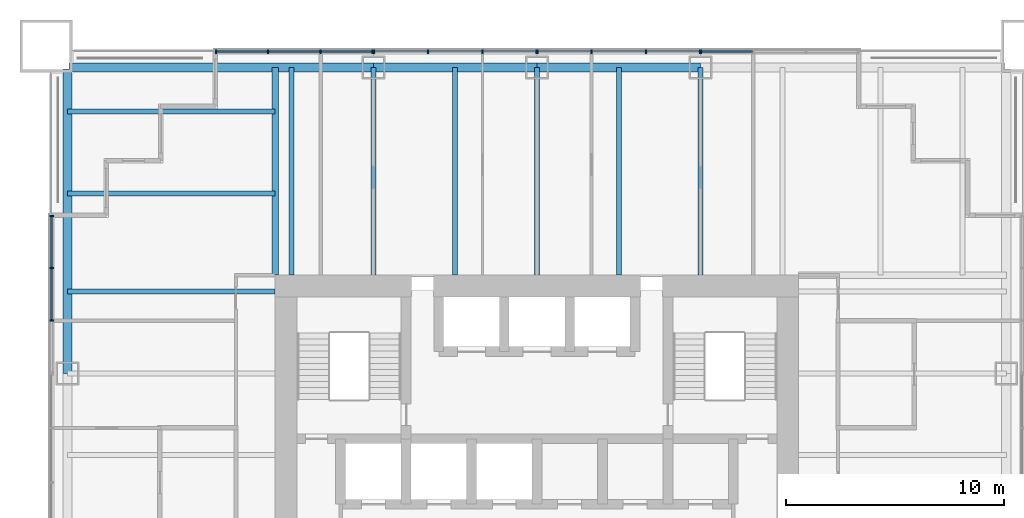
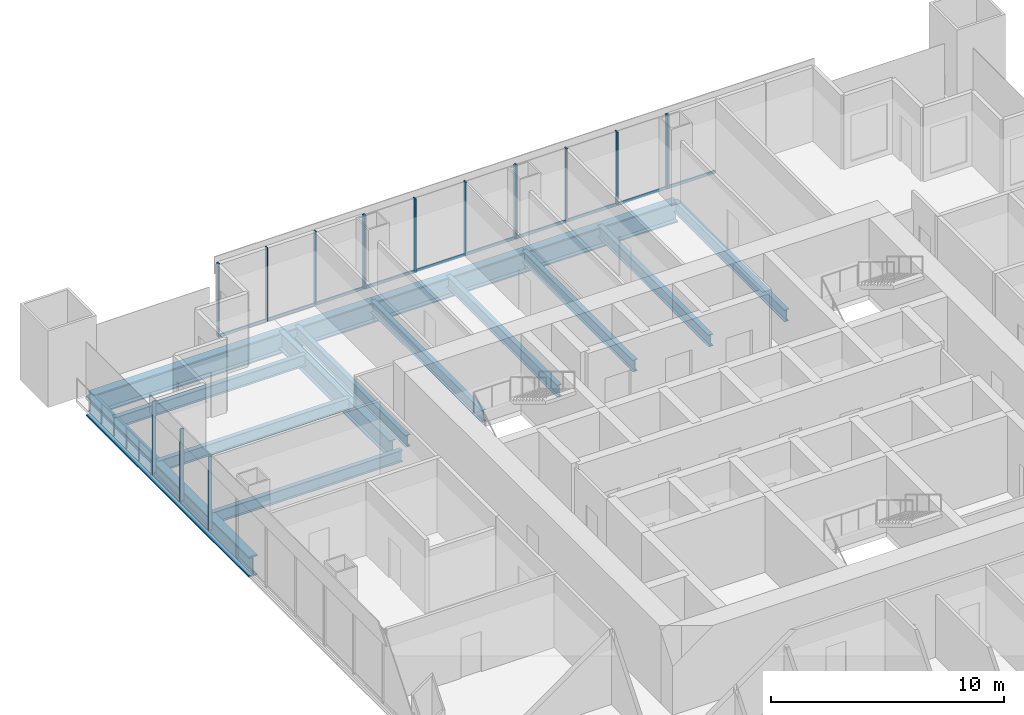
# One storey, part 5 of 13: 28 members, 14 beams, 5 elements without a shape of their own.
"""IFC4 building model written with IfcOpenShell, lengths in metres."""

from ifc_helpers import new_model, si_unit, direction, frame, origin, origin_2d, place, context, subcontext, project, spatial, rectangle, i_section, extrude, material, material_profile, profile_set, type_object, element, aggregate, save


model = new_model("IFC4")

# Units and contexts
model_context = context("Model", 3, precision=1e-05, world=origin(), true_north=direction((0.0, 1.0)))
body_context = subcontext(model_context, "Body", "Model", "MODEL_VIEW")
ifc_project = project(units=[si_unit("LENGTHUNIT", "METRE"), si_unit("AREAUNIT", "SQUARE_METRE"), si_unit("VOLUMEUNIT", "CUBIC_METRE"), si_unit("PLANEANGLEUNIT", "RADIAN"), si_unit("MASSUNIT", "GRAM", prefix="KILO")], contexts=[model_context])

# Site, building, storey
site_placement = place(None, origin())
site = spatial("IfcSite", under=ifc_project, at=site_placement, CompositionType="ELEMENT")
building_placement = place(site_placement, origin())
building = spatial("IfcBuilding", under=site, at=building_placement, Name="Tarangal Relay Tower", CompositionType="ELEMENT")
storey_placement = place(building_placement, frame((0.0, 0.0, 185.89990234375)))
storey = spatial("IfcBuildingStorey", under=building, at=storey_placement, Name="L38", CompositionType="ELEMENT", Elevation=185.89990234375)

# Beams
ifc_material_1 = material(Name="Steel ASTM A992", Category="steel")
ifc_material_profile_1 = material_profile(ifc_material_1, i_section(OverallWidth=0.227783203125, OverallDepth=0.60205078125, WebThickness=0.010498046875, FlangeThickness=0.014892578125, at=origin_2d()), Name="W24X68")
ifc_profile_set_1 = profile_set([ifc_material_profile_1], Name="Steel ASTM A992")
beam_type_1 = type_object("IfcBeamType", Name="Corner beam W24X68", PredefinedType="JOIST", material=ifc_profile_set_1)
for number, where, z_axis, x_axis, name in (
    (1, (-12.0, 15.75, -0.450927734375), (-1.0, 0.0, 0.0), (0.0, -1.0, 0.0), "Corner beam CB11 W L38"),
    (2, (-12.0, 19.5, -0.450927734375), (-1.0, 0.0, 0.0), (0.0, -1.0, 0.0), "Corner beam CB11 W L38"),
):
    element("IfcBeam", number, at=place(storey_placement, frame(where, z_axis=z_axis, x_axis=x_axis)), inside=storey, type_object=beam_type_1, Name=name, PredefinedType="JOIST", context=body_context, shape_type="SweptSolid", body=[
        extrude(i_section(OverallWidth=0.227783203125, OverallDepth=0.60205078125, WebThickness=0.010498046875, FlangeThickness=0.014892578125, at=origin_2d()), origin(), (0.0, 0.0, 1.0), 9.514892578125),
    ])
ifc_material_profile_2 = material_profile(ifc_material_1, i_section(OverallWidth=0.307373046875, OverallDepth=0.9423828125, WebThickness=0.022216796875, FlangeThickness=0.039794921875, at=origin_2d()), Name="W36X232")
ifc_profile_set_2 = profile_set([ifc_material_profile_2], Name="Steel ASTM A992")
beam_type_2 = type_object("IfcBeamType", Name="Corner girder W36X232", PredefinedType="BEAM", material=ifc_profile_set_2)
beam_1_placement = place(storey_placement, frame((-12.0, 12.0, -0.62109375), z_axis=(0.0, 1.0, 0.0), x_axis=(-1.0, 0.0, 0.0)))
element("IfcBeam", 3, at=beam_1_placement, inside=storey, type_object=beam_type_2, Name="Corner girder CG4 W L38", PredefinedType="BEAM", context=body_context, shape_type="SweptSolid", body=[
    extrude(i_section(OverallWidth=0.307373046875, OverallDepth=0.9423828125, WebThickness=0.022216796875, FlangeThickness=0.039794921875, at=origin_2d()), origin(), (0.0, 0.0, 1.0), 9.514892578125),
])
ifc_material_profile_3 = material_profile(ifc_material_1, i_section(OverallWidth=0.41650390625, OverallDepth=1.0693359375, WebThickness=0.0390625, FlangeThickness=0.070068359375, at=origin_2d()), Name="W40X503")
ifc_profile_set_3 = profile_set([ifc_material_profile_3], Name="Steel ASTM A992")
beam_type_3 = type_object("IfcBeamType", Name="Edge girder W40X503", PredefinedType="SPANDREL", material=ifc_profile_set_3)
beam_2_placement = place(storey_placement, frame((-21.449951171875, 21.514892578125, -0.6845703125), z_axis=(1.0, 0.0, 0.0), x_axis=(0.0, 1.0, 0.0)))
element("IfcBeam", 4, at=beam_2_placement, inside=storey, type_object=beam_type_3, Name="Edge girder EG8 N L38", PredefinedType="SPANDREL", context=body_context, shape_type="SweptSolid", body=[
    extrude(i_section(OverallWidth=0.41650390625, OverallDepth=1.0693359375, WebThickness=0.0390625, FlangeThickness=0.070068359375, at=origin_2d()), origin(), (0.0, 0.0, 1.0), 13.949951171875),
])
for number, where, z_axis, x_axis, name in (
    (5, (-7.5, 21.514892578125, -0.6845703125), (1.0, 0.0, 0.0), (0.0, 1.0, 0.0), "Edge girder EG8 N L38"),
    (6, (0.0, 21.514892578125, -0.6845703125), (1.0, 0.0, 0.0), (0.0, 1.0, 0.0), "Edge girder EG8 N L38"),
):
    element("IfcBeam", number, at=place(storey_placement, frame(where, z_axis=z_axis, x_axis=x_axis)), inside=storey, type_object=beam_type_3, Name=name, PredefinedType="SPANDREL", context=body_context, shape_type="SweptSolid", body=[
        extrude(i_section(OverallWidth=0.41650390625, OverallDepth=1.0693359375, WebThickness=0.0390625, FlangeThickness=0.070068359375, at=origin_2d()), origin(), (0.0, 0.0, 1.0), 7.5),
    ])
beam_3_placement = place(storey_placement, frame((-21.514892578125, 7.5, -0.6845703125), z_axis=(0.0, 1.0, 0.0), x_axis=(-1.0, 0.0, 0.0)))
element("IfcBeam", 7, at=beam_3_placement, inside=storey, type_object=beam_type_3, Name="Edge girder EG8 W L38", PredefinedType="SPANDREL", context=body_context, shape_type="SweptSolid", body=[
    extrude(i_section(OverallWidth=0.41650390625, OverallDepth=1.0693359375, WebThickness=0.0390625, FlangeThickness=0.070068359375, at=origin_2d()), origin(), (0.0, 0.0, 1.0), 13.949951171875),
])
ifc_material_profile_4 = material_profile(ifc_material_1, i_section(OverallWidth=0.22900390625, OverallDepth=0.612060546875, WebThickness=0.011962890625, FlangeThickness=0.01953125, at=origin_2d()), Name="W24X84")
ifc_profile_set_4 = profile_set([ifc_material_profile_4], Name="Steel ASTM A992")
beam_type_4 = type_object("IfcBeamType", Name="Floor beam W24X84", PredefinedType="BEAM", material=ifc_profile_set_4)
for number, where, z_axis, x_axis, name in (
    (8, (-11.25, 12.0, -0.455810546875), (0.0, 1.0, 0.0), (-1.0, 0.0, 0.0), "Floor beam RB12 N L38"),
    (9, (-7.5, 12.0, -0.455810546875), (0.0, 1.0, 0.0), (-1.0, 0.0, 0.0), "Floor beam RB12 N L38"),
    (10, (-3.75, 12.0, -0.455810546875), (0.0, 1.0, 0.0), (-1.0, 0.0, 0.0), "Floor beam RB12 N L38"),
    (11, (0.0, 12.0, -0.455810546875), (0.0, 1.0, 0.0), (-1.0, 0.0, 0.0), "Floor beam RB12 N L38"),
    (12, (3.75, 12.0, -0.455810546875), (0.0, 1.0, 0.0), (-1.0, 0.0, 0.0), "Floor beam RB12 N L38"),
    (13, (7.5, 12.0, -0.455810546875), (0.0, 1.0, 0.0), (-1.0, 0.0, 0.0), "Floor beam RB12 N L38"),
    (14, (-12.0, 11.25, -0.455810546875), (-1.0, 0.0, 0.0), (0.0, -1.0, 0.0), "Floor beam RB12 W L38"),
):
    element("IfcBeam", number, at=place(storey_placement, frame(where, z_axis=z_axis, x_axis=x_axis)), inside=storey, type_object=beam_type_4, Name=name, PredefinedType="BEAM", context=body_context, shape_type="SweptSolid", body=[
        extrude(i_section(OverallWidth=0.22900390625, OverallDepth=0.612060546875, WebThickness=0.011962890625, FlangeThickness=0.01953125, at=origin_2d()), origin(), (0.0, 0.0, 1.0), 9.514892578125),
    ])

# Curtain wall, members
ifc_material_2 = material(Name="Unitised curtain wall, dark glass and black aluminium", Category="aluminium")
curtain_wall_type_1 = type_object("IfcCurtainWallType", Name="Curtain wall CW-A", PredefinedType="USERDEFINED", material=ifc_material_2)
curtain_wall_1_placement = place(storey_placement, origin())
curtain_wall_1 = element("IfcCurtainWall", 15, at=curtain_wall_1_placement, inside=storey, type_object=curtain_wall_type_1, Name="Curtain wall CW-A N facade L38", ObjectType="UNITISED CURTAIN WALL", PredefinedType="USERDEFINED")
ifc_material_3 = material(Name="Black anodised aluminium mullion", Category="aluminium")
ifc_material_profile_5 = material_profile(ifc_material_3, rectangle(XDim=0.175048828125, YDim=0.06494140625, at=origin_2d()), Name="CW-AM 65X175")
ifc_profile_set_5 = profile_set([ifc_material_profile_5], Name="Black anodised aluminium mullion")
member_type_1 = type_object("IfcMemberType", Name="Mullion CW-A 65 x 175", PredefinedType="MULLION", material=ifc_profile_set_5)
member_1_placement = place(storey_placement, frame((-7.467529296875, 22.25, 0.0), z_axis=(0.0, 0.0, 1.0), x_axis=(0.0, 1.0, 0.0)))
member_1 = element("IfcMember", 16, at=member_1_placement, type_object=member_type_1, Name="CW-A mullion 1", PredefinedType="MULLION", context=body_context, shape_type="SweptSolid", body=[
    extrude(rectangle(XDim=0.175048828125, YDim=0.06494140625, at=origin_2d()), origin(), (0.0, 0.0, 1.0), 3.85009765625),
])
member_2_placement = place(storey_placement, frame((-5.0, 22.25, 0.0), z_axis=(0.0, 0.0, 1.0), x_axis=(0.0, 1.0, 0.0)))
member_2 = element("IfcMember", 17, at=member_2_placement, type_object=member_type_1, Name="CW-A mullion 2", PredefinedType="MULLION", context=body_context, shape_type="SweptSolid", body=[
    extrude(rectangle(XDim=0.175048828125, YDim=0.06494140625, at=origin_2d()), origin(), (0.0, 0.0, 1.0), 3.85009765625),
])
member_3_placement = place(storey_placement, frame((-2.5, 22.25, 0.0), z_axis=(0.0, 0.0, 1.0), x_axis=(0.0, 1.0, 0.0)))
member_3 = element("IfcMember", 18, at=member_3_placement, type_object=member_type_1, Name="CW-A mullion 3", PredefinedType="MULLION", context=body_context, shape_type="SweptSolid", body=[
    extrude(rectangle(XDim=0.175048828125, YDim=0.06494140625, at=origin_2d()), origin(), (0.0, 0.0, 1.0), 3.85009765625),
])
member_4_placement = place(storey_placement, frame((-0.032470703125, 22.25, 0.0), z_axis=(0.0, 0.0, 1.0), x_axis=(0.0, 1.0, 0.0)))
member_4 = element("IfcMember", 19, at=member_4_placement, type_object=member_type_1, Name="CW-A mullion 4", PredefinedType="MULLION", context=body_context, shape_type="SweptSolid", body=[
    extrude(rectangle(XDim=0.175048828125, YDim=0.06494140625, at=origin_2d()), origin(), (0.0, 0.0, 1.0), 3.85009765625),
])

curtain_wall_2_placement = place(storey_placement, origin())
curtain_wall_2 = element("IfcCurtainWall", 20, at=curtain_wall_2_placement, inside=storey, type_object=curtain_wall_type_1, Name="Curtain wall CW-A N facade L38", ObjectType="UNITISED CURTAIN WALL", PredefinedType="USERDEFINED")
member_5_placement = place(storey_placement, frame((0.032470703125, 22.25, 0.0), z_axis=(0.0, 0.0, 1.0), x_axis=(0.0, 1.0, 0.0)))
member_5 = element("IfcMember", 21, at=member_5_placement, type_object=member_type_1, Name="CW-A mullion 1", PredefinedType="MULLION", context=body_context, shape_type="SweptSolid", body=[
    extrude(rectangle(XDim=0.175048828125, YDim=0.06494140625, at=origin_2d()), origin(), (0.0, 0.0, 1.0), 3.85009765625),
])
member_6_placement = place(storey_placement, frame((2.5, 22.25, 0.0), z_axis=(0.0, 0.0, 1.0), x_axis=(0.0, 1.0, 0.0)))
member_6 = element("IfcMember", 22, at=member_6_placement, type_object=member_type_1, Name="CW-A mullion 2", PredefinedType="MULLION", context=body_context, shape_type="SweptSolid", body=[
    extrude(rectangle(XDim=0.175048828125, YDim=0.06494140625, at=origin_2d()), origin(), (0.0, 0.0, 1.0), 3.85009765625),
])
member_7_placement = place(storey_placement, frame((5.0, 22.25, 0.0), z_axis=(0.0, 0.0, 1.0), x_axis=(0.0, 1.0, 0.0)))
member_7 = element("IfcMember", 23, at=member_7_placement, type_object=member_type_1, Name="CW-A mullion 3", PredefinedType="MULLION", context=body_context, shape_type="SweptSolid", body=[
    extrude(rectangle(XDim=0.175048828125, YDim=0.06494140625, at=origin_2d()), origin(), (0.0, 0.0, 1.0), 3.85009765625),
])
member_8_placement = place(storey_placement, frame((7.467529296875, 22.25, 0.0), z_axis=(0.0, 0.0, 1.0), x_axis=(0.0, 1.0, 0.0)))
member_8 = element("IfcMember", 24, at=member_8_placement, type_object=member_type_1, Name="CW-A mullion 4", PredefinedType="MULLION", context=body_context, shape_type="SweptSolid", body=[
    extrude(rectangle(XDim=0.175048828125, YDim=0.06494140625, at=origin_2d()), origin(), (0.0, 0.0, 1.0), 3.85009765625),
])

ifc_material_4 = material(Name="Unitised curtain wall frame, black aluminium, with metal clad infill walls", Category="aluminium")
curtain_wall_type_2 = type_object("IfcCurtainWallType", Name="Curtain wall CW-AO", PredefinedType="USERDEFINED", material=ifc_material_4)
curtain_wall_3_placement = place(storey_placement, origin())
curtain_wall_3 = element("IfcCurtainWall", 25, at=curtain_wall_3_placement, inside=storey, type_object=curtain_wall_type_2, Name="Curtain wall CW-AO N facade L38", ObjectType="UNITISED CURTAIN WALL", PredefinedType="USERDEFINED")
ifc_material_profile_6 = material_profile(ifc_material_3, rectangle(XDim=0.175048828125, YDim=0.06494140625, at=origin_2d()), Name="CW-AOM 65X175")
ifc_profile_set_6 = profile_set([ifc_material_profile_6], Name="Black anodised aluminium mullion")
member_type_2 = type_object("IfcMemberType", Name="Mullion CW-AO 65 x 175", PredefinedType="MULLION", material=ifc_profile_set_6)
member_9_placement = place(storey_placement, frame((-14.717529296875, 22.25, 0.0), z_axis=(0.0, 0.0, 1.0), x_axis=(0.0, 1.0, 0.0)))
member_9 = element("IfcMember", 26, at=member_9_placement, type_object=member_type_2, Name="CW-AO mullion 1", PredefinedType="MULLION", context=body_context, shape_type="SweptSolid", body=[
    extrude(rectangle(XDim=0.175048828125, YDim=0.06494140625, at=origin_2d()), origin(), (0.0, 0.0, 1.0), 3.85009765625),
])
member_10_placement = place(storey_placement, frame((-12.333251953125, 22.25, 0.0), z_axis=(0.0, 0.0, 1.0), x_axis=(0.0, 1.0, 0.0)))
member_10 = element("IfcMember", 27, at=member_10_placement, type_object=member_type_2, Name="CW-AO mullion 2", PredefinedType="MULLION", context=body_context, shape_type="SweptSolid", body=[
    extrude(rectangle(XDim=0.175048828125, YDim=0.06494140625, at=origin_2d()), origin(), (0.0, 0.0, 1.0), 3.85009765625),
])
member_11_placement = place(storey_placement, frame((-9.916748046875, 22.25, 0.0), z_axis=(0.0, 0.0, 1.0), x_axis=(0.0, 1.0, 0.0)))
member_11 = element("IfcMember", 28, at=member_11_placement, type_object=member_type_2, Name="CW-AO mullion 3", PredefinedType="MULLION", context=body_context, shape_type="SweptSolid", body=[
    extrude(rectangle(XDim=0.175048828125, YDim=0.06494140625, at=origin_2d()), origin(), (0.0, 0.0, 1.0), 3.85009765625),
])
member_12_placement = place(storey_placement, frame((-7.532470703125, 22.25, 0.0), z_axis=(0.0, 0.0, 1.0), x_axis=(0.0, 1.0, 0.0)))
member_12 = element("IfcMember", 29, at=member_12_placement, type_object=member_type_2, Name="CW-AO mullion 4", PredefinedType="MULLION", context=body_context, shape_type="SweptSolid", body=[
    extrude(rectangle(XDim=0.175048828125, YDim=0.06494140625, at=origin_2d()), origin(), (0.0, 0.0, 1.0), 3.85009765625),
])

# Curtain wall, member
curtain_wall_4_placement = place(storey_placement, origin())
curtain_wall_4 = element("IfcCurtainWall", 30, at=curtain_wall_4_placement, inside=storey, type_object=curtain_wall_type_2, Name="Curtain wall CW-AO N facade L38", ObjectType="UNITISED CURTAIN WALL", PredefinedType="USERDEFINED")
member_13_placement = place(storey_placement, frame((7.532470703125, 22.25, 0.0), z_axis=(0.0, 0.0, 1.0), x_axis=(0.0, 1.0, 0.0)))
member_13 = element("IfcMember", 31, at=member_13_placement, type_object=member_type_2, Name="CW-AO mullion 1", PredefinedType="MULLION", context=body_context, shape_type="SweptSolid", body=[
    extrude(rectangle(XDim=0.175048828125, YDim=0.06494140625, at=origin_2d()), origin(), (0.0, 0.0, 1.0), 3.85009765625),
])

# Curtain wall, members
curtain_wall_5_placement = place(storey_placement, origin())
curtain_wall_5 = element("IfcCurtainWall", 32, at=curtain_wall_5_placement, inside=storey, type_object=curtain_wall_type_2, Name="Curtain wall CW-AO W facade L38", ObjectType="UNITISED CURTAIN WALL", PredefinedType="USERDEFINED")
member_14_placement = place(storey_placement, frame((-22.25, 9.916748046875, 0.0), z_axis=(0.0, 0.0, 1.0), x_axis=(-1.0, 0.0, 0.0)))
member_14 = element("IfcMember", 33, at=member_14_placement, type_object=member_type_2, Name="CW-AO mullion 2", PredefinedType="MULLION", context=body_context, shape_type="SweptSolid", body=[
    extrude(rectangle(XDim=0.175048828125, YDim=0.06494140625, at=origin_2d()), origin(), (0.0, 0.0, 1.0), 3.85009765625),
])
member_15_placement = place(storey_placement, frame((-22.25, 12.333251953125, 0.0), z_axis=(0.0, 0.0, 1.0), x_axis=(-1.0, 0.0, 0.0)))
member_15 = element("IfcMember", 34, at=member_15_placement, type_object=member_type_2, Name="CW-AO mullion 3", PredefinedType="MULLION", context=body_context, shape_type="SweptSolid", body=[
    extrude(rectangle(XDim=0.175048828125, YDim=0.06494140625, at=origin_2d()), origin(), (0.0, 0.0, 1.0), 3.85009765625),
])
member_16_placement = place(storey_placement, frame((-22.25, 14.717529296875, 0.0), z_axis=(0.0, 0.0, 1.0), x_axis=(-1.0, 0.0, 0.0)))
member_16 = element("IfcMember", 35, at=member_16_placement, type_object=member_type_2, Name="CW-AO mullion 4", PredefinedType="MULLION", context=body_context, shape_type="SweptSolid", body=[
    extrude(rectangle(XDim=0.175048828125, YDim=0.06494140625, at=origin_2d()), origin(), (0.0, 0.0, 1.0), 3.85009765625),
])

# Member
ifc_material_5 = material(Name="Black anodised aluminium transom", Category="aluminium")
ifc_material_profile_7 = material_profile(ifc_material_5, rectangle(XDim=0.06494140625, YDim=0.14990234375, at=origin_2d()), Name="CW-AT 65X150")
ifc_profile_set_7 = profile_set([ifc_material_profile_7], Name="Black anodised aluminium transom")
member_type_3 = type_object("IfcMemberType", Name="Transom CW-A 65 x 150", PredefinedType="USERDEFINED", material=ifc_profile_set_7)
member_17_placement = place(storey_placement, frame((-7.43505859375, 22.25, 0.03271484375), z_axis=(1.0, 0.0, 0.0), x_axis=(0.0, 1.0, 0.0)))
member_17 = element("IfcMember", 36, at=member_17_placement, type_object=member_type_3, Name="CW-A transom 1.1", ObjectType="TRANSOM", PredefinedType="USERDEFINED", context=body_context, shape_type="SweptSolid", body=[
    extrude(rectangle(XDim=0.06494140625, YDim=0.14990234375, at=origin_2d()), origin(), (0.0, 0.0, 1.0), 2.402587890625),
])

member_18_placement = place(storey_placement, frame((-4.967529296875, 22.25, 0.03271484375), z_axis=(1.0, 0.0, 0.0), x_axis=(0.0, 1.0, 0.0)))
member_18 = element("IfcMember", 37, at=member_18_placement, type_object=member_type_3, Name="CW-A transom 2.1", ObjectType="TRANSOM", PredefinedType="USERDEFINED", context=body_context, shape_type="SweptSolid", body=[
    extrude(rectangle(XDim=0.06494140625, YDim=0.14990234375, at=origin_2d()), origin(), (0.0, 0.0, 1.0), 2.43505859375),
])

member_19_placement = place(storey_placement, frame((-2.467529296875, 22.25, 0.03271484375), z_axis=(1.0, 0.0, 0.0), x_axis=(0.0, 1.0, 0.0)))
member_19 = element("IfcMember", 38, at=member_19_placement, type_object=member_type_3, Name="CW-A transom 3.1", ObjectType="TRANSOM", PredefinedType="USERDEFINED", context=body_context, shape_type="SweptSolid", body=[
    extrude(rectangle(XDim=0.06494140625, YDim=0.14990234375, at=origin_2d()), origin(), (0.0, 0.0, 1.0), 2.402587890625),
])

aggregate(curtain_wall_1, [member_1, member_2, member_3, member_4, member_17, member_18, member_19])

member_20_placement = place(storey_placement, frame((0.06494140625, 22.25, 0.03271484375), z_axis=(1.0, 0.0, 0.0), x_axis=(0.0, 1.0, 0.0)))
member_20 = element("IfcMember", 39, at=member_20_placement, type_object=member_type_3, Name="CW-A transom 1.1", ObjectType="TRANSOM", PredefinedType="USERDEFINED", context=body_context, shape_type="SweptSolid", body=[
    extrude(rectangle(XDim=0.06494140625, YDim=0.14990234375, at=origin_2d()), origin(), (0.0, 0.0, 1.0), 2.402587890625),
])

member_21_placement = place(storey_placement, frame((2.532470703125, 22.25, 0.03271484375), z_axis=(1.0, 0.0, 0.0), x_axis=(0.0, 1.0, 0.0)))
member_21 = element("IfcMember", 40, at=member_21_placement, type_object=member_type_3, Name="CW-A transom 2.1", ObjectType="TRANSOM", PredefinedType="USERDEFINED", context=body_context, shape_type="SweptSolid", body=[
    extrude(rectangle(XDim=0.06494140625, YDim=0.14990234375, at=origin_2d()), origin(), (0.0, 0.0, 1.0), 2.43505859375),
])

member_22_placement = place(storey_placement, frame((5.032470703125, 22.25, 0.03271484375), z_axis=(1.0, 0.0, 0.0), x_axis=(0.0, 1.0, 0.0)))
member_22 = element("IfcMember", 41, at=member_22_placement, type_object=member_type_3, Name="CW-A transom 3.1", ObjectType="TRANSOM", PredefinedType="USERDEFINED", context=body_context, shape_type="SweptSolid", body=[
    extrude(rectangle(XDim=0.06494140625, YDim=0.14990234375, at=origin_2d()), origin(), (0.0, 0.0, 1.0), 2.402587890625),
])

aggregate(curtain_wall_2, [member_5, member_6, member_7, member_8, member_20, member_21, member_22])

ifc_material_profile_8 = material_profile(ifc_material_5, rectangle(XDim=0.06494140625, YDim=0.14990234375, at=origin_2d()), Name="CW-AOT 65X150")
ifc_profile_set_8 = profile_set([ifc_material_profile_8], Name="Black anodised aluminium transom")
member_type_4 = type_object("IfcMemberType", Name="Transom CW-AO 65 x 150", PredefinedType="USERDEFINED", material=ifc_profile_set_8)
member_23_placement = place(storey_placement, frame((-14.68505859375, 22.25, 0.03271484375), z_axis=(1.0, 0.0, 0.0), x_axis=(0.0, 1.0, 0.0)))
member_23 = element("IfcMember", 42, at=member_23_placement, type_object=member_type_4, Name="CW-AO transom 1.1", ObjectType="TRANSOM", PredefinedType="USERDEFINED", context=body_context, shape_type="SweptSolid", body=[
    extrude(rectangle(XDim=0.06494140625, YDim=0.14990234375, at=origin_2d()), origin(), (0.0, 0.0, 1.0), 2.3193359375),
])

member_24_placement = place(storey_placement, frame((-12.30078125, 22.25, 0.03271484375), z_axis=(1.0, 0.0, 0.0), x_axis=(0.0, 1.0, 0.0)))
member_24 = element("IfcMember", 43, at=member_24_placement, type_object=member_type_4, Name="CW-AO transom 2.1", ObjectType="TRANSOM", PredefinedType="USERDEFINED", context=body_context, shape_type="SweptSolid", body=[
    extrude(rectangle(XDim=0.06494140625, YDim=0.14990234375, at=origin_2d()), origin(), (0.0, 0.0, 1.0), 2.3515625),
])

member_25_placement = place(storey_placement, frame((-9.88427734375, 22.25, 0.03271484375), z_axis=(1.0, 0.0, 0.0), x_axis=(0.0, 1.0, 0.0)))
member_25 = element("IfcMember", 44, at=member_25_placement, type_object=member_type_4, Name="CW-AO transom 3.1", ObjectType="TRANSOM", PredefinedType="USERDEFINED", context=body_context, shape_type="SweptSolid", body=[
    extrude(rectangle(XDim=0.06494140625, YDim=0.14990234375, at=origin_2d()), origin(), (0.0, 0.0, 1.0), 2.3193359375),
])

aggregate(curtain_wall_3, [member_9, member_10, member_11, member_12, member_23, member_24, member_25])

member_26_placement = place(storey_placement, frame((7.56494140625, 22.25, 0.03271484375), z_axis=(1.0, 0.0, 0.0), x_axis=(0.0, 1.0, 0.0)))
member_26 = element("IfcMember", 45, at=member_26_placement, type_object=member_type_4, Name="CW-AO transom 1.1", ObjectType="TRANSOM", PredefinedType="USERDEFINED", context=body_context, shape_type="SweptSolid", body=[
    extrude(rectangle(XDim=0.06494140625, YDim=0.14990234375, at=origin_2d()), origin(), (0.0, 0.0, 1.0), 2.3193359375),
])

aggregate(curtain_wall_4, [member_13, member_26])

member_27_placement = place(storey_placement, frame((-22.25, 9.94921875, 0.03271484375), z_axis=(0.0, 1.0, 0.0), x_axis=(-1.0, 0.0, 0.0)))
member_27 = element("IfcMember", 46, at=member_27_placement, type_object=member_type_4, Name="CW-AO transom 2.1", ObjectType="TRANSOM", PredefinedType="USERDEFINED", context=body_context, shape_type="SweptSolid", body=[
    extrude(rectangle(XDim=0.06494140625, YDim=0.14990234375, at=origin_2d()), origin(), (0.0, 0.0, 1.0), 2.3515625),
])

member_28_placement = place(storey_placement, frame((-22.25, 12.36572265625, 0.03271484375), z_axis=(0.0, 1.0, 0.0), x_axis=(-1.0, 0.0, 0.0)))
member_28 = element("IfcMember", 47, at=member_28_placement, type_object=member_type_4, Name="CW-AO transom 3.1", ObjectType="TRANSOM", PredefinedType="USERDEFINED", context=body_context, shape_type="SweptSolid", body=[
    extrude(rectangle(XDim=0.06494140625, YDim=0.14990234375, at=origin_2d()), origin(), (0.0, 0.0, 1.0), 2.3193359375),
])

aggregate(curtain_wall_5, [member_14, member_15, member_16, member_27, member_28])

save(model, "model.ifc")
